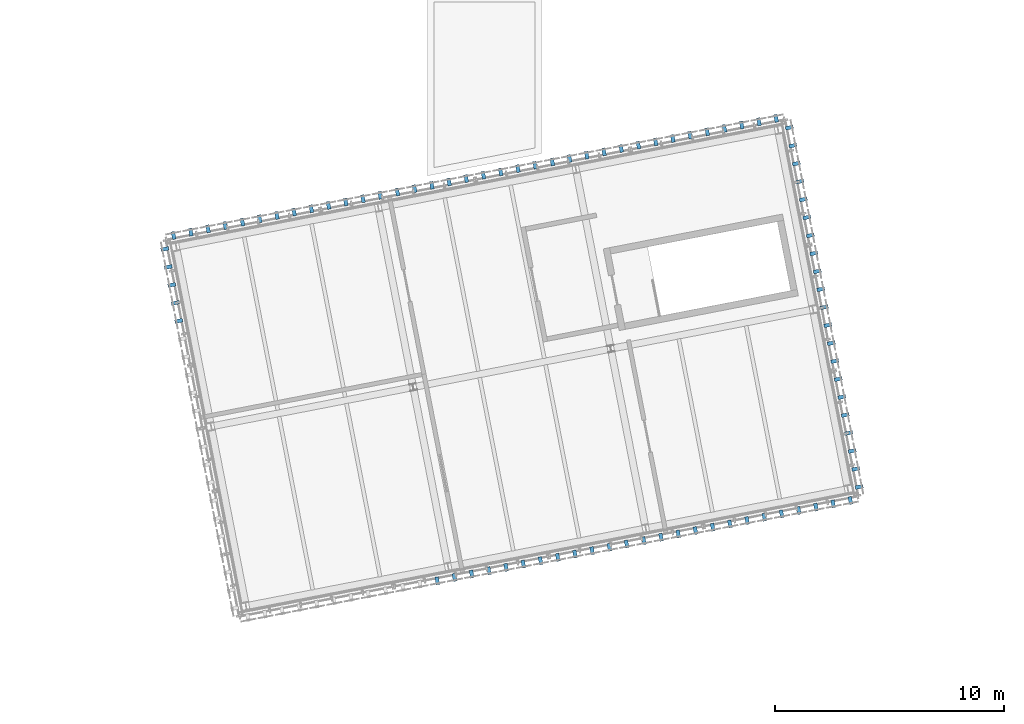
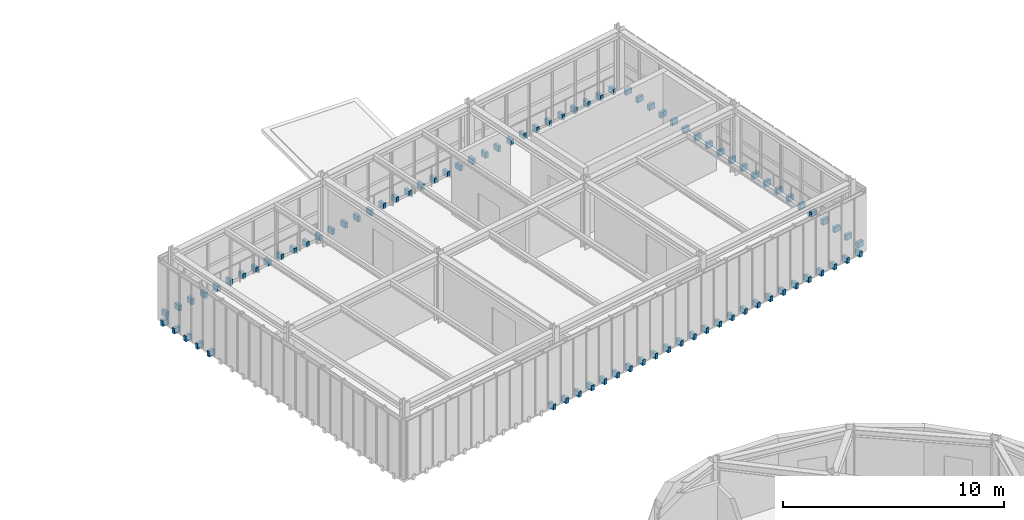
# One storey, part 35 of 44: 87 discrete accessories.
"""IFC4 building model written with IfcOpenShell, lengths in metres."""

from ifc_helpers import new_model, si_unit, direction, frame, origin, origin_2d, place, context, subcontext, project, spatial, rectangle, extrude, material, type_object, element, save


model = new_model("IFC4")

# Units and contexts
model_context = context("Model", 3, precision=1e-05, world=origin(), true_north=direction((0.0, 1.0)))
body_context = subcontext(model_context, "Body", "Model", "MODEL_VIEW")
ifc_project = project(units=[si_unit("LENGTHUNIT", "METRE"), si_unit("AREAUNIT", "SQUARE_METRE"), si_unit("VOLUMEUNIT", "CUBIC_METRE"), si_unit("PLANEANGLEUNIT", "RADIAN"), si_unit("MASSUNIT", "GRAM", prefix="KILO")], contexts=[model_context])

# Site, building, storey
site_placement = place(None, origin())
site = spatial("IfcSite", under=ifc_project, at=site_placement, CompositionType="ELEMENT")
building_placement = place(site_placement, origin())
building = spatial("IfcBuilding", under=site, at=building_placement, Name="Varnklinge Art Gallery", CompositionType="ELEMENT")
storey_placement = place(building_placement, frame((0.0, 0.0, 13.679931640625)))
storey = spatial("IfcBuildingStorey", under=building, at=storey_placement, Name="L03", CompositionType="ELEMENT", Elevation=13.679931640625)

# Discrete accessories
ifc_material = material(Name="Steel S355", Category="steel")
discrete_accessory_type = type_object("IfcDiscreteAccessoryType", Name="BRK-01", PredefinedType="BRACKET", material=ifc_material)
for number, where, z_axis, x_axis, name in (
    (1, (72.23193359375, 63.195556640625, -0.06982421875), (0.0, 0.0, 1.0), (0.981627183448, 0.190808995377, 0.0), "L03 Lattice Outrigger Bracket 1.2.3"),
    (2, (72.984619140625, 63.341796875, -0.06982421875), (0.0, 0.0, 1.0), (0.981627183448, 0.190808995377, 0.0), "L03 Lattice Outrigger Bracket 1.2.4"),
    (3, (73.7373046875, 63.488037109375, -0.06982421875), (0.0, 0.0, 1.0), (0.981627183448, 0.190808995377, 0.0), "L03 Lattice Outrigger Bracket 1.2.5"),
    (4, (74.48974609375, 63.634521484375, -0.06982421875), (0.0, 0.0, 1.0), (0.981627183448, 0.190808995377, 0.0), "L03 Lattice Outrigger Bracket 1.2.6"),
    (5, (75.2421875, 63.78076171875, -0.06982421875), (0.0, 0.0, 1.0), (0.981627183448, 0.190808995377, 0.0), "L03 Lattice Outrigger Bracket 1.2.7"),
    (6, (75.994873046875, 63.927001953125, -0.06982421875), (0.0, 0.0, 1.0), (0.981627183448, 0.190808995377, 0.0), "L03 Lattice Outrigger Bracket 1.2.8"),
    (7, (76.74755859375, 64.0732421875, -0.06982421875), (0.0, 0.0, 1.0), (0.981627183448, 0.190808995377, 0.0), "L03 Lattice Outrigger Bracket 1.2.9"),
    (8, (77.5, 64.219482421875, -0.06982421875), (0.0, 0.0, 1.0), (0.981627183448, 0.190808995377, 0.0), "L03 Lattice Outrigger Bracket 1.3.1"),
    (9, (78.252685546875, 64.36572265625, -0.06982421875), (0.0, 0.0, 1.0), (0.981627183448, 0.190808995377, 0.0), "L03 Lattice Outrigger Bracket 1.3.2"),
    (10, (79.005126953125, 64.51220703125, -0.06982421875), (0.0, 0.0, 1.0), (0.981627183448, 0.190808995377, 0.0), "L03 Lattice Outrigger Bracket 1.3.3"),
    (11, (79.7578125, 64.658447265625, -0.06982421875), (0.0, 0.0, 1.0), (0.981627183448, 0.190808995377, 0.0), "L03 Lattice Outrigger Bracket 1.3.4"),
    (12, (80.510498046875, 64.8046875, -0.06982421875), (0.0, 0.0, 1.0), (0.981627183448, 0.190808995377, 0.0), "L03 Lattice Outrigger Bracket 1.3.5"),
    (13, (81.262939453125, 64.950927734375, -0.06982421875), (0.0, 0.0, 1.0), (0.981627183448, 0.190808995377, 0.0), "L03 Lattice Outrigger Bracket 1.3.6"),
    (14, (82.015625, 65.09716796875, -0.06982421875), (0.0, 0.0, 1.0), (0.981627183448, 0.190808995377, 0.0), "L03 Lattice Outrigger Bracket 1.3.7"),
    (15, (82.768310546875, 65.243408203125, -0.06982421875), (0.0, 0.0, 1.0), (0.981627183448, 0.190808995377, 0.0), "L03 Lattice Outrigger Bracket 1.3.8"),
    (16, (83.520751953125, 65.389892578125, -0.06982421875), (0.0, 0.0, 1.0), (0.981627183448, 0.190808995377, 0.0), "L03 Lattice Outrigger Bracket 1.3.9"),
    (17, (84.273193359375, 65.5361328125, -0.06982421875), (0.0, 0.0, 1.0), (0.981627183448, 0.190808995377, 0.0), "L03 Lattice Outrigger Bracket 1.4.1"),
    (18, (85.02587890625, 65.682373046875, -0.06982421875), (0.0, 0.0, 1.0), (0.981627183448, 0.190808995377, 0.0), "L03 Lattice Outrigger Bracket 1.4.2"),
    (19, (85.778564453125, 65.82861328125, -0.06982421875), (0.0, 0.0, 1.0), (0.981627183448, 0.190808995377, 0.0), "L03 Lattice Outrigger Bracket 1.4.3"),
    (20, (86.531005859375, 65.974853515625, -0.06982421875), (0.0, 0.0, 1.0), (0.981627183448, 0.190808995377, 0.0), "L03 Lattice Outrigger Bracket 1.4.4"),
    (21, (87.28369140625, 66.12109375, -0.06982421875), (0.0, 0.0, 1.0), (0.981627183448, 0.190808995377, 0.0), "L03 Lattice Outrigger Bracket 1.4.5"),
    (22, (88.0361328125, 66.267578125, -0.06982421875), (0.0, 0.0, 1.0), (0.981627183448, 0.190808995377, 0.0), "L03 Lattice Outrigger Bracket 1.4.6"),
    (23, (88.788818359375, 66.413818359375, -0.06982421875), (0.0, 0.0, 1.0), (0.981627183448, 0.190808995377, 0.0), "L03 Lattice Outrigger Bracket 1.4.7"),
    (24, (89.54150390625, 66.56005859375, -0.06982421875), (0.0, 0.0, 1.0), (0.981627183448, 0.190808995377, 0.0), "L03 Lattice Outrigger Bracket 1.4.8"),
    (25, (90.2939453125, 66.706298828125, -0.06982421875), (0.0, 0.0, 1.0), (0.981627183448, 0.190808995377, 0.0), "L03 Lattice Outrigger Bracket 1.4.9"),
    (26, (90.680908203125, 67.301025390625, -0.06982421875), (0.0, 0.0, 1.0), (-0.190808995377, 0.981627183448, 0.0), "L03 Lattice Outrigger Bracket 2.1.1"),
    (27, (90.5283203125, 68.08642578125, -0.06982421875), (0.0, 0.0, 1.0), (-0.190808995377, 0.981627183448, 0.0), "L03 Lattice Outrigger Bracket 2.1.2"),
    (28, (90.375732421875, 68.87158203125, -0.06982421875), (0.0, 0.0, 1.0), (-0.190808995377, 0.981627183448, 0.0), "L03 Lattice Outrigger Bracket 2.1.3"),
    (29, (90.222900390625, 69.656982421875, -0.06982421875), (0.0, 0.0, 1.0), (-0.190808995377, 0.981627183448, 0.0), "L03 Lattice Outrigger Bracket 2.1.4"),
    (30, (90.0703125, 70.4423828125, -0.06982421875), (0.0, 0.0, 1.0), (-0.190808995377, 0.981627183448, 0.0), "L03 Lattice Outrigger Bracket 2.1.5"),
    (31, (89.917724609375, 71.2275390625, -0.06982421875), (0.0, 0.0, 1.0), (-0.190808995377, 0.981627183448, 0.0), "L03 Lattice Outrigger Bracket 2.1.6"),
    (32, (89.76513671875, 72.012939453125, -0.06982421875), (0.0, 0.0, 1.0), (-0.190808995377, 0.981627183448, 0.0), "L03 Lattice Outrigger Bracket 2.1.7"),
    (33, (89.6123046875, 72.798095703125, -0.06982421875), (0.0, 0.0, 1.0), (-0.190808995377, 0.981627183448, 0.0), "L03 Lattice Outrigger Bracket 2.2.1"),
    (34, (89.459716796875, 73.58349609375, -0.06982421875), (0.0, 0.0, 1.0), (-0.190808995377, 0.981627183448, 0.0), "L03 Lattice Outrigger Bracket 2.2.2"),
    (35, (89.30712890625, 74.368896484375, -0.06982421875), (0.0, 0.0, 1.0), (-0.190808995377, 0.981627183448, 0.0), "L03 Lattice Outrigger Bracket 2.2.3"),
    (36, (89.154541015625, 75.154052734375, -0.06982421875), (0.0, 0.0, 1.0), (-0.190808995377, 0.981627183448, 0.0), "L03 Lattice Outrigger Bracket 2.2.4"),
    (37, (89.001708984375, 75.939453125, -0.06982421875), (0.0, 0.0, 1.0), (-0.190808995377, 0.981627183448, 0.0), "L03 Lattice Outrigger Bracket 2.2.5"),
    (38, (88.84912109375, 76.724609375, -0.06982421875), (0.0, 0.0, 1.0), (-0.190808995377, 0.981627183448, 0.0), "L03 Lattice Outrigger Bracket 2.2.6"),
    (39, (88.696533203125, 77.510009765625, -0.06982421875), (0.0, 0.0, 1.0), (-0.190808995377, 0.981627183448, 0.0), "L03 Lattice Outrigger Bracket 2.2.7"),
    (40, (88.5439453125, 78.29541015625, -0.06982421875), (0.0, 0.0, 1.0), (-0.190808995377, 0.981627183448, 0.0), "L03 Lattice Outrigger Bracket 2.3.1"),
    (41, (88.39111328125, 79.08056640625, -0.06982421875), (0.0, 0.0, 1.0), (-0.190808995377, 0.981627183448, 0.0), "L03 Lattice Outrigger Bracket 2.3.2"),
    (42, (88.238525390625, 79.865966796875, -0.06982421875), (0.0, 0.0, 1.0), (-0.190808995377, 0.981627183448, 0.0), "L03 Lattice Outrigger Bracket 2.3.3"),
    (43, (88.0859375, 80.651123046875, -0.06982421875), (0.0, 0.0, 1.0), (-0.190808995377, 0.981627183448, 0.0), "L03 Lattice Outrigger Bracket 2.3.4"),
    (44, (87.933349609375, 81.4365234375, -0.06982421875), (0.0, 0.0, 1.0), (-0.190808995377, 0.981627183448, 0.0), "L03 Lattice Outrigger Bracket 2.3.5"),
    (45, (87.78076171875, 82.2216796875, -0.06982421875), (0.0, 0.0, 1.0), (-0.190808995377, 0.981627183448, 0.0), "L03 Lattice Outrigger Bracket 2.3.6"),
    (46, (87.6279296875, 83.007080078125, -0.06982421875), (0.0, 0.0, 1.0), (-0.190808995377, 0.981627183448, 0.0), "L03 Lattice Outrigger Bracket 2.3.7"),
    (47, (87.04638671875, 83.41357421875, -0.06982421875), (0.0, 0.0, 1.0), (-0.981627183448, -0.190808995377, 0.0), "L03 Lattice Outrigger Bracket 3.1.1"),
    (48, (86.293701171875, 83.267333984375, -0.06982421875), (0.0, 0.0, 1.0), (-0.981627183448, -0.190808995377, 0.0), "L03 Lattice Outrigger Bracket 3.1.2"),
    (49, (85.541259765625, 83.12109375, -0.06982421875), (0.0, 0.0, 1.0), (-0.981627183448, -0.190808995377, 0.0), "L03 Lattice Outrigger Bracket 3.1.3"),
    (50, (84.788818359375, 82.974853515625, -0.06982421875), (0.0, 0.0, 1.0), (-0.981627183448, -0.190808995377, 0.0), "L03 Lattice Outrigger Bracket 3.1.4"),
    (51, (84.0361328125, 82.82861328125, -0.06982421875), (0.0, 0.0, 1.0), (-0.981627183448, -0.190808995377, 0.0), "L03 Lattice Outrigger Bracket 3.1.5"),
    (52, (83.283447265625, 82.68212890625, -0.06982421875), (0.0, 0.0, 1.0), (-0.981627183448, -0.190808995377, 0.0), "L03 Lattice Outrigger Bracket 3.1.6"),
    (53, (82.531005859375, 82.535888671875, -0.06982421875), (0.0, 0.0, 1.0), (-0.981627183448, -0.190808995377, 0.0), "L03 Lattice Outrigger Bracket 3.1.7"),
    (54, (81.7783203125, 82.3896484375, -0.06982421875), (0.0, 0.0, 1.0), (-0.981627183448, -0.190808995377, 0.0), "L03 Lattice Outrigger Bracket 3.1.8"),
    (55, (81.02587890625, 82.243408203125, -0.06982421875), (0.0, 0.0, 1.0), (-0.981627183448, -0.190808995377, 0.0), "L03 Lattice Outrigger Bracket 3.1.9"),
    (56, (80.273193359375, 82.09716796875, -0.06982421875), (0.0, 0.0, 1.0), (-0.981627183448, -0.190808995377, 0.0), "L03 Lattice Outrigger Bracket 3.2.1"),
    (57, (79.5205078125, 81.95068359375, -0.06982421875), (0.0, 0.0, 1.0), (-0.981627183448, -0.190808995377, 0.0), "L03 Lattice Outrigger Bracket 3.2.2"),
    (58, (78.76806640625, 81.804443359375, -0.06982421875), (0.0, 0.0, 1.0), (-0.981627183448, -0.190808995377, 0.0), "L03 Lattice Outrigger Bracket 3.2.3"),
    (59, (78.015380859375, 81.658203125, -0.06982421875), (0.0, 0.0, 1.0), (-0.981627183448, -0.190808995377, 0.0), "L03 Lattice Outrigger Bracket 3.2.4"),
    (60, (77.2626953125, 81.511962890625, -0.06982421875), (0.0, 0.0, 1.0), (-0.981627183448, -0.190808995377, 0.0), "L03 Lattice Outrigger Bracket 3.2.5"),
    (61, (76.51025390625, 81.365478515625, -0.06982421875), (0.0, 0.0, 1.0), (-0.981627183448, -0.190808995377, 0.0), "L03 Lattice Outrigger Bracket 3.2.6"),
    (62, (75.7578125, 81.21923828125, -0.06982421875), (0.0, 0.0, 1.0), (-0.981627183448, -0.190808995377, 0.0), "L03 Lattice Outrigger Bracket 3.2.7"),
    (63, (75.005126953125, 81.072998046875, -0.06982421875), (0.0, 0.0, 1.0), (-0.981627183448, -0.190808995377, 0.0), "L03 Lattice Outrigger Bracket 3.2.8"),
    (64, (74.25244140625, 80.9267578125, -0.06982421875), (0.0, 0.0, 1.0), (-0.981627183448, -0.190808995377, 0.0), "L03 Lattice Outrigger Bracket 3.2.9"),
    (65, (73.5, 80.780517578125, -0.06982421875), (0.0, 0.0, 1.0), (-0.981627183448, -0.190808995377, 0.0), "L03 Lattice Outrigger Bracket 3.3.1"),
    (66, (72.747314453125, 80.63427734375, -0.06982421875), (0.0, 0.0, 1.0), (-0.981627183448, -0.190808995377, 0.0), "L03 Lattice Outrigger Bracket 3.3.2"),
    (67, (71.994873046875, 80.48779296875, -0.06982421875), (0.0, 0.0, 1.0), (-0.981627183448, -0.190808995377, 0.0), "L03 Lattice Outrigger Bracket 3.3.3"),
    (68, (71.2421875, 80.341552734375, -0.06982421875), (0.0, 0.0, 1.0), (-0.981627183448, -0.190808995377, 0.0), "L03 Lattice Outrigger Bracket 3.3.4"),
    (69, (70.489501953125, 80.1953125, -0.06982421875), (0.0, 0.0, 1.0), (-0.981627183448, -0.190808995377, 0.0), "L03 Lattice Outrigger Bracket 3.3.5"),
    (70, (69.737060546875, 80.049072265625, -0.06982421875), (0.0, 0.0, 1.0), (-0.981627183448, -0.190808995377, 0.0), "L03 Lattice Outrigger Bracket 3.3.6"),
    (71, (68.984375, 79.90283203125, -0.06982421875), (0.0, 0.0, 1.0), (-0.981627183448, -0.190808995377, 0.0), "L03 Lattice Outrigger Bracket 3.3.7"),
    (72, (68.231689453125, 79.756591796875, -0.06982421875), (0.0, 0.0, 1.0), (-0.981627183448, -0.190808995377, 0.0), "L03 Lattice Outrigger Bracket 3.3.8"),
    (73, (67.479248046875, 79.610107421875, -0.06982421875), (0.0, 0.0, 1.0), (-0.981627183448, -0.190808995377, 0.0), "L03 Lattice Outrigger Bracket 3.3.9"),
    (74, (66.726806640625, 79.4638671875, -0.06982421875), (0.0, 0.0, 1.0), (-0.981627183448, -0.190808995377, 0.0), "L03 Lattice Outrigger Bracket 3.4.1"),
    (75, (65.97412109375, 79.317626953125, -0.06982421875), (0.0, 0.0, 1.0), (-0.981627183448, -0.190808995377, 0.0), "L03 Lattice Outrigger Bracket 3.4.2"),
    (76, (65.221435546875, 79.17138671875, -0.06982421875), (0.0, 0.0, 1.0), (-0.981627183448, -0.190808995377, 0.0), "L03 Lattice Outrigger Bracket 3.4.3"),
    (77, (64.468994140625, 79.025146484375, -0.06982421875), (0.0, 0.0, 1.0), (-0.981627183448, -0.190808995377, 0.0), "L03 Lattice Outrigger Bracket 3.4.4"),
    (78, (63.71630859375, 78.87890625, -0.06982421875), (0.0, 0.0, 1.0), (-0.981627183448, -0.190808995377, 0.0), "L03 Lattice Outrigger Bracket 3.4.5"),
    (79, (62.9638671875, 78.732421875, -0.06982421875), (0.0, 0.0, 1.0), (-0.981627183448, -0.190808995377, 0.0), "L03 Lattice Outrigger Bracket 3.4.6"),
    (80, (62.211181640625, 78.586181640625, -0.06982421875), (0.0, 0.0, 1.0), (-0.981627183448, -0.190808995377, 0.0), "L03 Lattice Outrigger Bracket 3.4.7"),
    (81, (61.45849609375, 78.43994140625, -0.06982421875), (0.0, 0.0, 1.0), (-0.981627183448, -0.190808995377, 0.0), "L03 Lattice Outrigger Bracket 3.4.8"),
    (82, (60.7060546875, 78.293701171875, -0.06982421875), (0.0, 0.0, 1.0), (-0.981627183448, -0.190808995377, 0.0), "L03 Lattice Outrigger Bracket 3.4.9"),
    (83, (60.319091796875, 77.698974609375, -0.06982421875), (0.0, 0.0, 1.0), (0.190808995377, -0.981627183448, 0.0), "L03 Lattice Outrigger Bracket 4.1.1"),
    (84, (60.4716796875, 76.91357421875, -0.06982421875), (0.0, 0.0, 1.0), (0.190808995377, -0.981627183448, 0.0), "L03 Lattice Outrigger Bracket 4.1.2"),
    (85, (60.624267578125, 76.12841796875, -0.06982421875), (0.0, 0.0, 1.0), (0.190808995377, -0.981627183448, 0.0), "L03 Lattice Outrigger Bracket 4.1.3"),
    (86, (60.777099609375, 75.343017578125, -0.06982421875), (0.0, 0.0, 1.0), (0.190808995377, -0.981627183448, 0.0), "L03 Lattice Outrigger Bracket 4.1.4"),
    (87, (60.9296875, 74.5576171875, -0.06982421875), (0.0, 0.0, 1.0), (0.190808995377, -0.981627183448, 0.0), "L03 Lattice Outrigger Bracket 4.1.5"),
):
    element("IfcDiscreteAccessory", number, at=place(storey_placement, frame(where, z_axis=z_axis, x_axis=x_axis)), inside=storey, type_object=discrete_accessory_type, Name=name, PredefinedType="BRACKET", context=body_context, shape_type="SweptSolid", body=[
        extrude(rectangle(XDim=0.159912109375, YDim=0.340087890625, at=origin_2d()), origin(), (0.0, 0.0, 1.0), 0.300048828125),
    ])

save(model, "model.ifc")
